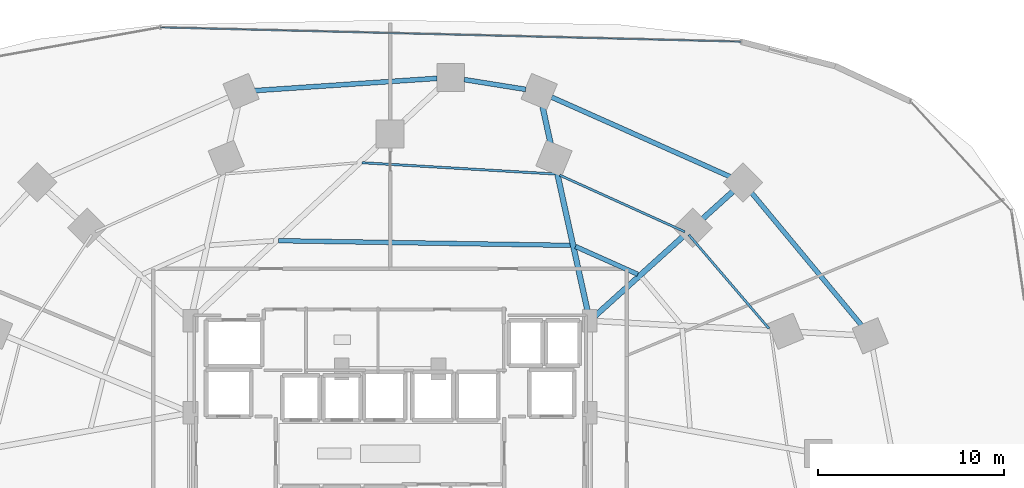
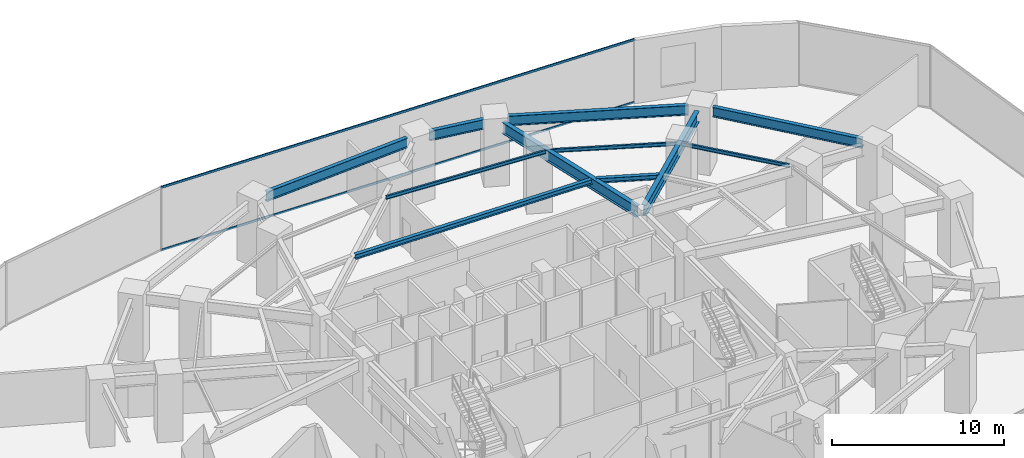
# One storey, part 16 of 27: 11 beams, 2 members, 1 element without a shape of its own.
"""IFC4 building model written with IfcOpenShell, lengths in metres."""

from ifc_helpers import new_model, si_unit, direction, frame, origin, origin_2d, place, context, subcontext, project, spatial, hollow_rectangle, i_section, extrude, material, material_profile, profile_set, type_object, element, aggregate, save


model = new_model("IFC4")

# Units and contexts
model_context = context("Model", 3, precision=1e-05, world=origin(), true_north=direction((0.0, 1.0)))
body_context = subcontext(model_context, "Body", "Model", "MODEL_VIEW")
ifc_project = project(units=[si_unit("LENGTHUNIT", "METRE"), si_unit("AREAUNIT", "SQUARE_METRE"), si_unit("VOLUMEUNIT", "CUBIC_METRE"), si_unit("PLANEANGLEUNIT", "RADIAN"), si_unit("MASSUNIT", "GRAM", prefix="KILO")], contexts=[model_context])

# Site, building, storey
site_placement = place(None, origin())
site = spatial("IfcSite", under=ifc_project, at=site_placement, CompositionType="ELEMENT")
building_placement = place(site_placement, origin())
building = spatial("IfcBuilding", under=site, at=building_placement, Name="Vorneva Point Tower", CompositionType="ELEMENT")
storey_placement = place(building_placement, frame((0.0, 0.0, 4.800048828125)))
storey = spatial("IfcBuildingStorey", under=building, at=storey_placement, Name="L01", CompositionType="ELEMENT", Elevation=4.800048828125)

# Beams
ifc_material_1 = material(Name="Steel S355", Category="steel")
ifc_material_profile_1 = material_profile(ifc_material_1, i_section(OverallWidth=0.300048828125, OverallDepth=0.7880859375, WebThickness=0.014404296875, FlangeThickness=0.02197265625, at=origin_2d()), Name="80Sh1")
ifc_profile_set_1 = profile_set([ifc_material_profile_1], Name="Steel S355")
beam_type_1 = type_object("IfcBeamType", Name="BM-GRD-80Sh1", PredefinedType="USERDEFINED", material=ifc_profile_set_1)
beam_1_placement = place(storey_placement, frame((56.44970703125, 40.10498046875, 4.0859375), z_axis=(-0.742089370901, -0.67030095151, 0.0), x_axis=(0.67030095151, -0.742089370901, 0.0)))
element("IfcBeam", 1, at=beam_1_placement, inside=storey, type_object=beam_type_1, Name="L01 Radial Primary Girder 03", ObjectType="GIRDER", PredefinedType="USERDEFINED", context=body_context, shape_type="SweptSolid", body=[
    extrude(i_section(OverallWidth=0.300048828125, OverallDepth=0.7880859375, WebThickness=0.014404296875, FlangeThickness=0.02197265625, at=origin_2d()), origin(), (0.0, 0.0, 1.0), 10.035888671875),
])
beam_2_placement = place(storey_placement, frame((46.185302734375, 44.77099609375, 4.0859375), z_axis=(0.215510345791, -0.976501557017, 0.0), x_axis=(0.976501557017, 0.215510345791, 0.0)))
element("IfcBeam", 2, at=beam_2_placement, inside=storey, type_object=beam_type_1, Name="L01 Radial Primary Girder 04", ObjectType="GIRDER", PredefinedType="USERDEFINED", context=body_context, shape_type="SweptSolid", body=[
    extrude(i_section(OverallWidth=0.300048828125, OverallDepth=0.7880859375, WebThickness=0.014404296875, FlangeThickness=0.02197265625, at=origin_2d()), origin(), (0.0, 0.0, 1.0), 11.560791015625),
])
ifc_material_profile_2 = material_profile(ifc_material_1, i_section(OverallWidth=0.1240234375, OverallDepth=0.248046875, WebThickness=0.0048828125, FlangeThickness=0.008056640625, at=origin_2d()), Name="25B1")
ifc_profile_set_2 = profile_set([ifc_material_profile_2], Name="Steel S355")
beam_type_2 = type_object("IfcBeamType", Name="BM-JST-25B1", PredefinedType="JOIST", material=ifc_profile_set_2)
beam_3_placement = place(storey_placement, frame((58.398681640625, 32.73046875, 4.35595703125), z_axis=(-0.649792108042, 0.760111976176, 0.0), x_axis=(-0.760111976176, -0.649792108042, 0.0)))
element("IfcBeam", 3, at=beam_3_placement, inside=storey, type_object=beam_type_2, Name="L01 Secondary Floor Beam 1.02", PredefinedType="JOIST", context=body_context, shape_type="SweptSolid", body=[
    extrude(i_section(OverallWidth=0.1240234375, OverallDepth=0.248046875, WebThickness=0.0048828125, FlangeThickness=0.008056640625, at=origin_2d()), origin(), (0.0, 0.0, 1.0), 6.6435546875),
])
beam_4_placement = place(storey_placement, frame((53.8662109375, 37.94189453125, 4.35595703125), z_axis=(-0.911060953396, 0.412271681293, 0.0), x_axis=(-0.412271681293, -0.911060953396, 0.0)))
element("IfcBeam", 4, at=beam_4_placement, inside=storey, type_object=beam_type_2, Name="L01 Secondary Floor Beam 1.03", PredefinedType="JOIST", context=body_context, shape_type="SweptSolid", body=[
    extrude(i_section(OverallWidth=0.1240234375, OverallDepth=0.248046875, WebThickness=0.0048828125, FlangeThickness=0.008056640625, at=origin_2d()), origin(), (0.0, 0.0, 1.0), 7.390380859375),
])
beam_5_placement = place(storey_placement, frame((46.86962890625, 41.0537109375, 4.35595703125), z_axis=(-0.998297391737, 0.058329389258, 0.0), x_axis=(-0.058329389258, -0.998297391737, 0.0)))
element("IfcBeam", 5, at=beam_5_placement, inside=storey, type_object=beam_type_2, Name="L01 Secondary Floor Beam 1.04", PredefinedType="JOIST", context=body_context, shape_type="SweptSolid", body=[
    extrude(i_section(OverallWidth=0.1240234375, OverallDepth=0.248046875, WebThickness=0.0048828125, FlangeThickness=0.008056640625, at=origin_2d()), origin(), (0.0, 0.0, 1.0), 10.388427734375),
])
ifc_material_profile_3 = material_profile(ifc_material_1, i_section(OverallWidth=0.2490234375, OverallDepth=0.333984375, WebThickness=0.008056640625, FlangeThickness=0.010986328125, at=origin_2d()), Name="35Sh1")
ifc_profile_set_3 = profile_set([ifc_material_profile_3], Name="Steel S355")
beam_type_3 = type_object("IfcBeamType", Name="BM-SEC-35Sh1", PredefinedType="BEAM", material=ifc_profile_set_3)
beam_6_placement = place(storey_placement, frame((51.333984375, 35.654052734375, 4.31298828125), z_axis=(-0.913141417525, 0.407642921685, 0.0), x_axis=(-0.407642921685, -0.913141417525, 0.0)))
element("IfcBeam", 6, at=beam_6_placement, inside=storey, type_object=beam_type_3, Name="L01 Secondary Floor Beam 2.03", PredefinedType="BEAM", context=body_context, shape_type="SweptSolid", body=[
    extrude(i_section(OverallWidth=0.2490234375, OverallDepth=0.333984375, WebThickness=0.008056640625, FlangeThickness=0.010986328125, at=origin_2d()), origin(), (0.0, 0.0, 1.0), 3.672607421875),
])
beam_7_placement = place(storey_placement, frame((47.716552734375, 37.20947265625, 4.31298828125), z_axis=(-0.999872000716, 0.015999443222, 0.0), x_axis=(-0.015999443222, -0.999872000716, 0.0)))
element("IfcBeam", 7, at=beam_7_placement, inside=storey, type_object=beam_type_3, Name="L01 Secondary Floor Beam 2.04", PredefinedType="BEAM", context=body_context, shape_type="SweptSolid", body=[
    extrude(i_section(OverallWidth=0.2490234375, OverallDepth=0.333984375, WebThickness=0.008056640625, FlangeThickness=0.010986328125, at=origin_2d()), origin(), (0.0, 0.0, 1.0), 15.717041015625),
])
ifc_material_profile_4 = material_profile(ifc_material_1, i_section(OverallWidth=0.260009765625, OverallDepth=0.69091796875, WebThickness=0.011962890625, FlangeThickness=0.015380859375, at=origin_2d()), Name="70B1")
ifc_profile_set_4 = profile_set([ifc_material_profile_4], Name="Steel S355")
beam_type_4 = type_object("IfcBeamType", Name="BM-SPN-70B1", PredefinedType="SPANDREL", material=ifc_profile_set_4)
beam_8_placement = place(storey_placement, frame((63.385009765625, 32.90234375, 4.134521484375), z_axis=(-0.638592053959, 0.769545442856, 0.0), x_axis=(-0.769545442856, -0.638592053959, 0.0)))
element("IfcBeam", 8, at=beam_8_placement, inside=storey, type_object=beam_type_4, Name="L01 Perimeter Spandrel Ring Beam 02", PredefinedType="SPANDREL", context=body_context, shape_type="SweptSolid", body=[
    extrude(i_section(OverallWidth=0.260009765625, OverallDepth=0.69091796875, WebThickness=0.011962890625, FlangeThickness=0.015380859375, at=origin_2d()), origin(), (0.0, 0.0, 1.0), 9.267578125),
])
beam_9_placement = place(storey_placement, frame((56.326171875, 40.899169921875, 4.134521484375), z_axis=(-0.91332481678, 0.407231849263, 0.0), x_axis=(-0.407231849263, -0.91332481678, 0.0)))
element("IfcBeam", 9, at=beam_9_placement, inside=storey, type_object=beam_type_4, Name="L01 Perimeter Spandrel Ring Beam 03", PredefinedType="SPANDREL", context=body_context, shape_type="SweptSolid", body=[
    extrude(i_section(OverallWidth=0.260009765625, OverallDepth=0.69091796875, WebThickness=0.011962890625, FlangeThickness=0.015380859375, at=origin_2d()), origin(), (0.0, 0.0, 1.0), 10.54248046875),
])
beam_10_placement = place(storey_placement, frame((45.30029296875, 45.607666015625, 4.134521484375), z_axis=(-0.98747243374, 0.157791611323, 0.0), x_axis=(-0.157791611323, -0.98747243374, 0.0)))
element("IfcBeam", 10, at=beam_10_placement, inside=storey, type_object=beam_type_4, Name="L01 Perimeter Spandrel Ring Beam 04", PredefinedType="SPANDREL", context=body_context, shape_type="SweptSolid", body=[
    extrude(i_section(OverallWidth=0.260009765625, OverallDepth=0.69091796875, WebThickness=0.011962890625, FlangeThickness=0.015380859375, at=origin_2d()), origin(), (0.0, 0.0, 1.0), 3.351318359375),
])
beam_11_placement = place(storey_placement, frame((40.53173828125, 46.203125, 4.134521484375), z_axis=(-0.997736846563, -0.067239757663, 0.0), x_axis=(0.067239757663, -0.997736846563, 0.0)))
element("IfcBeam", 11, at=beam_11_placement, inside=storey, type_object=beam_type_4, Name="L01 Perimeter Spandrel Ring Beam 05", PredefinedType="SPANDREL", context=body_context, shape_type="SweptSolid", body=[
    extrude(i_section(OverallWidth=0.260009765625, OverallDepth=0.69091796875, WebThickness=0.011962890625, FlangeThickness=0.015380859375, at=origin_2d()), origin(), (0.0, 0.0, 1.0), 9.846923828125),
])

# Curtain wall, members
ifc_material_2 = material(Name="Pale anodised aluminium", Category="aluminium")
curtain_wall_type = type_object("IfcCurtainWallType", Name="CW-POD-SYS", PredefinedType="NOTDEFINED", material=ifc_material_2)
curtain_wall_placement = place(storey_placement, origin())
curtain_wall = element("IfcCurtainWall", 12, at=curtain_wall_placement, inside=storey, type_object=curtain_wall_type, Name="L01 Unitised Curtain Wall CW-L01-R02", PredefinedType="NOTDEFINED")
ifc_material_profile_5 = material_profile(ifc_material_2, hollow_rectangle(XDim=0.074951171875, YDim=0.14990234375, WallThickness=0.00390625, at=origin_2d()), Name="AL-TRN 150x75x4")
ifc_profile_set_5 = profile_set([ifc_material_profile_5], Name="Pale anodised aluminium")
member_type = type_object("IfcMemberType", Name="CW-TRN-150", PredefinedType="USERDEFINED", material=ifc_profile_set_5)
member_1_placement = place(storey_placement, frame((56.8896484375, 48.17529296875, 0.02001953125), z_axis=(-0.999697841443, 0.024581005157, 0.0), x_axis=(-0.024581005157, -0.999697841443, 0.0)))
member_1 = element("IfcMember", 13, at=member_1_placement, type_object=member_type, Name="CW-L01-R02 Transom 01.1", ObjectType="TRANSOM", PredefinedType="USERDEFINED", context=body_context, shape_type="SweptSolid", body=[
    extrude(hollow_rectangle(XDim=0.074951171875, YDim=0.14990234375, WallThickness=0.00390625, at=origin_2d()), origin(), (0.0, 0.0, 1.0), 31.25634765625),
])
member_2_placement = place(storey_placement, frame((56.8896484375, 48.17529296875, 4.4599609375), z_axis=(-0.999697841443, 0.024581005157, 0.0), x_axis=(-0.024581005157, -0.999697841443, 0.0)))
member_2 = element("IfcMember", 14, at=member_2_placement, type_object=member_type, Name="CW-L01-R02 Transom 01.2", ObjectType="TRANSOM", PredefinedType="USERDEFINED", context=body_context, shape_type="SweptSolid", body=[
    extrude(hollow_rectangle(XDim=0.074951171875, YDim=0.14990234375, WallThickness=0.00390625, at=origin_2d()), origin(), (0.0, 0.0, 1.0), 31.25634765625),
])
aggregate(curtain_wall, [member_1, member_2])

save(model, "model.ifc")
